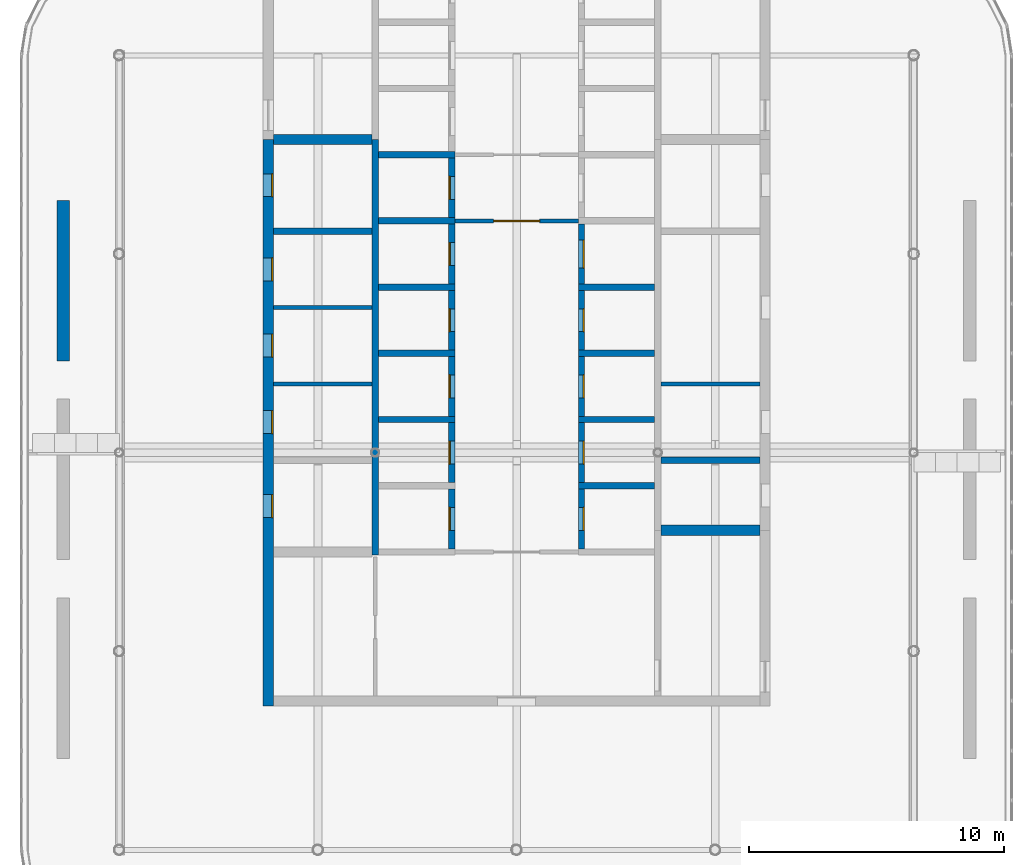
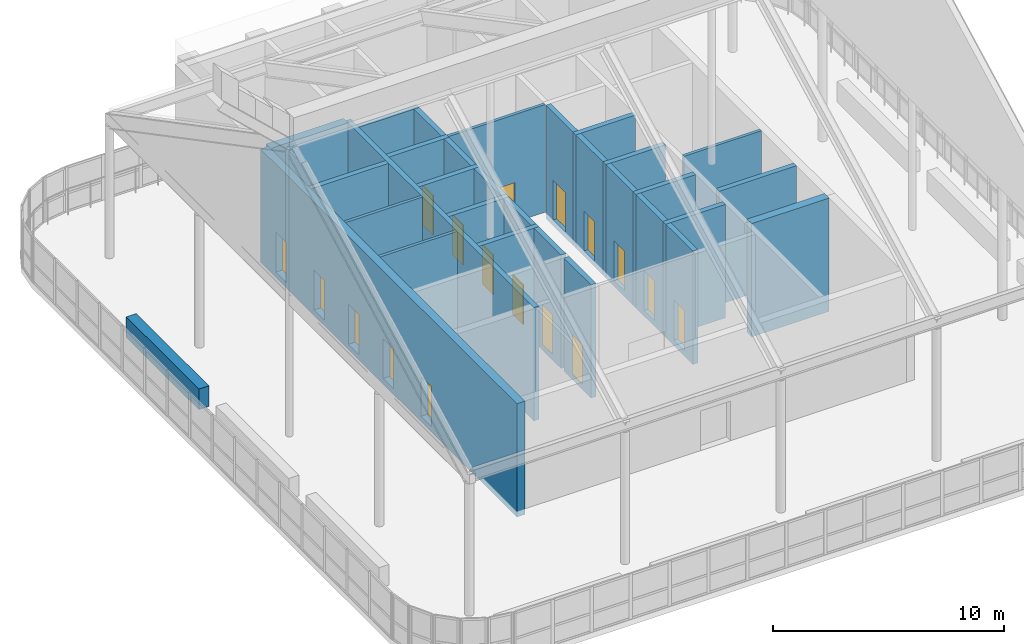
# One storey, part 16 of 19: 31 walls, 17 doors, 17 openings.
"""IFC4 building model written with IfcOpenShell, lengths in metres."""

from ifc_helpers import new_model, si_unit, direction, frame, frame_2d, origin, place, context, subcontext, project, spatial, rectangle, extrude, material, layer, layer_set, type_object, element, fill, save


model = new_model("IFC4")

# Units and contexts
model_context = context("Model", 3, precision=1e-05, world=origin(), true_north=direction((0.0, 1.0)))
body_context = subcontext(model_context, "Body", "Model", "MODEL_VIEW")
ifc_project = project(units=[si_unit("LENGTHUNIT", "METRE"), si_unit("AREAUNIT", "SQUARE_METRE"), si_unit("VOLUMEUNIT", "CUBIC_METRE"), si_unit("PLANEANGLEUNIT", "RADIAN"), si_unit("MASSUNIT", "GRAM", prefix="KILO")], contexts=[model_context])

# Site, building, storey
site_placement = place(None, origin())
site = spatial("IfcSite", under=ifc_project, at=site_placement, CompositionType="ELEMENT")
building_placement = place(site_placement, origin())
building = spatial("IfcBuilding", under=site, at=building_placement, Name="Ludao Terraces", CompositionType="ELEMENT")
storey_placement = place(building_placement, frame((0.0, 0.0, 266.39990234375)))
storey = spatial("IfcBuildingStorey", under=building, at=storey_placement, Name="L73", CompositionType="ELEMENT", Elevation=266.39990234375)

# Wall, openings, doors
ifc_material_1 = material(Name="Concrete C50", Category="concrete")
ifc_layer_1 = layer(ifc_material_1, 0.39990234375)
ifc_layer_set_1 = layer_set([ifc_layer_1], Name="Core wall 400 C50")
wall_type_1 = type_object("IfcWallType", Name="Core wall 400 C50", PredefinedType="SOLIDWALL", material=ifc_layer_set_1)
wall_1_placement = place(storey_placement, frame((75.25, 55.050048828125, -0.2998046875), z_axis=(0.0, 0.0, 1.0), x_axis=(0.0, 1.0, 0.0)))
wall_1 = element("IfcWall", 1, at=wall_1_placement, inside=storey, type_object=wall_type_1, Name="Core wall L73 outer-W", PredefinedType="SOLIDWALL", context=body_context, shape_type="SweptSolid", body=[
    extrude(rectangle(XDim=22.25, YDim=0.39990234375, at=frame_2d((11.125, 0.0))), origin(), (0.0, 0.0, 1.0), 6.0),
])
opening_1_placement = place(wall_1_placement, frame((7.39990234375, 0.0, 0.300048828125)))
opening_1 = element("IfcOpeningElement", 2, at=opening_1_placement, cuts=wall_1, Name="Opening L73-007", PredefinedType="OPENING", context=body_context, shape_type="SweptSolid", body=[
    extrude(rectangle(XDim=0.89990234375, YDim=2.10009765625, at=frame_2d((0.449951171875, 1.050048828125))), frame((0.0, 0.2099609375, 0.0), z_axis=(0.0, -1.0, 0.0), x_axis=(1.0, 0.0, 0.0)), (0.0, 0.0, 1.0), 0.419921875),
])
opening_2_placement = place(wall_1_placement, frame((10.699951171875, 0.0, 0.300048828125)))
opening_2 = element("IfcOpeningElement", 3, at=opening_2_placement, cuts=wall_1, Name="Opening L73-011", PredefinedType="OPENING", context=body_context, shape_type="SweptSolid", body=[
    extrude(rectangle(XDim=0.89990234375, YDim=2.10009765625, at=frame_2d((0.449951171875, 1.050048828125))), frame((0.0, 0.2099609375, 0.0), z_axis=(0.0, -1.0, 0.0), x_axis=(1.0, 0.0, 0.0)), (0.0, 0.0, 1.0), 0.419921875),
])
opening_3_placement = place(wall_1_placement, frame((13.699951171875, 0.0, 0.300048828125)))
opening_3 = element("IfcOpeningElement", 4, at=opening_3_placement, cuts=wall_1, Name="Opening L73-015", PredefinedType="OPENING", context=body_context, shape_type="SweptSolid", body=[
    extrude(rectangle(XDim=0.89990234375, YDim=2.10009765625, at=frame_2d((0.449951171875, 1.050048828125))), frame((0.0, 0.2099609375, 0.0), z_axis=(0.0, -1.0, 0.0), x_axis=(1.0, 0.0, 0.0)), (0.0, 0.0, 1.0), 0.419921875),
])
opening_4_placement = place(wall_1_placement, frame((16.699951171875, 0.0, 0.300048828125)))
opening_4 = element("IfcOpeningElement", 5, at=opening_4_placement, cuts=wall_1, Name="Opening L73-019", PredefinedType="OPENING", context=body_context, shape_type="SweptSolid", body=[
    extrude(rectangle(XDim=0.89990234375, YDim=2.10009765625, at=frame_2d((0.449951171875, 1.050048828125))), frame((0.0, 0.2099609375, 0.0), z_axis=(0.0, -1.0, 0.0), x_axis=(1.0, 0.0, 0.0)), (0.0, 0.0, 1.0), 0.419921875),
])
opening_5_placement = place(wall_1_placement, frame((20.0, 0.0, 0.300048828125)))
opening_5 = element("IfcOpeningElement", 6, at=opening_5_placement, cuts=wall_1, Name="Opening L73-025", PredefinedType="OPENING", context=body_context, shape_type="SweptSolid", body=[
    extrude(rectangle(XDim=0.89990234375, YDim=2.10009765625, at=frame_2d((0.449951171875, 1.050048828125))), frame((0.0, 0.2099609375, 0.0), z_axis=(0.0, -1.0, 0.0), x_axis=(1.0, 0.0, 0.0)), (0.0, 0.0, 1.0), 0.419921875),
])
ifc_material_2 = material(Name="Steel Q235", Category="steel")
door_type_1 = type_object("IfcDoorType", Name="INT Riser door 900", OperationType="SINGLE_SWING_LEFT", PredefinedType="DOOR", material=ifc_material_2)
door_1_placement = place(opening_1_placement, origin())
door_1 = element("IfcDoor", 7, at=door_1_placement, inside=storey, type_object=door_type_1, Name="DOOR 007", OperationType="SINGLE_SWING_RIGHT", OverallHeight=2.10009765625, OverallWidth=0.89990234375, PredefinedType="DOOR", context=body_context, shape_type="SweptSolid", body=[
    extrude(rectangle(XDim=0.89990234375, YDim=2.10009765625, at=frame_2d((0.449951171875, 1.050048828125))), frame((0.0, -0.134765625, 0.0), z_axis=(0.0, -1.0, 0.0), x_axis=(1.0, 0.0, 0.0)), (0.0, 0.0, 1.0), 0.050048828125),
])
fill(opening_1, door_1)
door_2_placement = place(opening_5_placement, origin())
door_2 = element("IfcDoor", 8, at=door_2_placement, inside=storey, type_object=door_type_1, Name="DOOR 025", OperationType="SINGLE_SWING_LEFT", OverallHeight=2.10009765625, OverallWidth=0.89990234375, PredefinedType="DOOR", context=body_context, shape_type="SweptSolid", body=[
    extrude(rectangle(XDim=0.89990234375, YDim=2.10009765625, at=frame_2d((0.449951171875, 1.050048828125))), frame((0.0, -0.134765625, 0.0), z_axis=(0.0, -1.0, 0.0), x_axis=(1.0, 0.0, 0.0)), (0.0, 0.0, 1.0), 0.050048828125),
])
fill(opening_5, door_2)
ifc_material_3 = material(Name="Timber door leaf", Category="wood")
door_type_2 = type_object("IfcDoorType", Name="INT Room door 900", OperationType="SINGLE_SWING_LEFT", PredefinedType="DOOR", material=ifc_material_3)
door_3_placement = place(opening_2_placement, origin())
door_3 = element("IfcDoor", 9, at=door_3_placement, inside=storey, type_object=door_type_2, Name="DOOR 011", OperationType="SINGLE_SWING_RIGHT", OverallHeight=2.10009765625, OverallWidth=0.89990234375, PredefinedType="DOOR", context=body_context, shape_type="SweptSolid", body=[
    extrude(rectangle(XDim=0.89990234375, YDim=2.10009765625, at=frame_2d((0.449951171875, 1.050048828125))), frame((0.0, -0.134765625, 0.0), z_axis=(0.0, -1.0, 0.0), x_axis=(1.0, 0.0, 0.0)), (0.0, 0.0, 1.0), 0.050048828125),
])
fill(opening_2, door_3)
door_4_placement = place(opening_3_placement, origin())
door_4 = element("IfcDoor", 10, at=door_4_placement, inside=storey, type_object=door_type_2, Name="DOOR 015", OperationType="SINGLE_SWING_RIGHT", OverallHeight=2.10009765625, OverallWidth=0.89990234375, PredefinedType="DOOR", context=body_context, shape_type="SweptSolid", body=[
    extrude(rectangle(XDim=0.89990234375, YDim=2.10009765625, at=frame_2d((0.449951171875, 1.050048828125))), frame((0.0, -0.134765625, 0.0), z_axis=(0.0, -1.0, 0.0), x_axis=(1.0, 0.0, 0.0)), (0.0, 0.0, 1.0), 0.050048828125),
])
fill(opening_3, door_4)
door_5_placement = place(opening_4_placement, origin())
door_5 = element("IfcDoor", 11, at=door_5_placement, inside=storey, type_object=door_type_2, Name="DOOR 019", OperationType="SINGLE_SWING_RIGHT", OverallHeight=2.10009765625, OverallWidth=0.89990234375, PredefinedType="DOOR", context=body_context, shape_type="SweptSolid", body=[
    extrude(rectangle(XDim=0.89990234375, YDim=2.10009765625, at=frame_2d((0.449951171875, 1.050048828125))), frame((0.0, -0.134765625, 0.0), z_axis=(0.0, -1.0, 0.0), x_axis=(1.0, 0.0, 0.0)), (0.0, 0.0, 1.0), 0.050048828125),
])
fill(opening_4, door_5)

# Walls
ifc_material_4 = material(Name="Concrete C40", Category="concrete")
ifc_layer_2 = layer(ifc_material_4, 0.5)
ifc_layer_set_2 = layer_set([ifc_layer_2], Name="ENV Deck planter 500")
wall_type_2 = type_object("IfcWallType", Name="ENV Deck planter 500", PredefinedType="USERDEFINED", material=ifc_layer_set_2)
wall_2_placement = place(storey_placement, frame((67.199951171875, 68.60009765625, 0.0), z_axis=(0.0, 0.0, 1.0), x_axis=(0.0, 1.0, 0.0)))
element("IfcWall", 12, at=wall_2_placement, inside=storey, type_object=wall_type_2, Name="PL-L73-7", ObjectType="PLANTER", PredefinedType="USERDEFINED", context=body_context, shape_type="SweptSolid", body=[
    extrude(rectangle(XDim=6.2998046875, YDim=0.5, at=frame_2d((3.14990234375, 0.0))), origin(), (0.0, 0.0, 1.0), 1.10009765625),
])
ifc_material_5 = material(Name="Fire-rated gypsum plasterboard", Category="gypsum")
ifc_layer_3 = layer(ifc_material_5, 0.012451171875, Category="gypsum")
ifc_material_6 = material(Name="Mineral wool")
ifc_layer_4 = layer(ifc_material_6, 0.10009765625, Name="insulation")
ifc_layer_5 = layer(ifc_material_2, 0.02490234375, Name="stud")
ifc_layer_6 = layer(ifc_material_5, 0.012451171875, Category="gypsum")
ifc_layer_set_3 = layer_set([ifc_layer_3, ifc_layer_4, ifc_layer_5, ifc_layer_6], Name="INT Core partition 150")
wall_type_3 = type_object("IfcWallType", Name="INT Core partition 150", PredefinedType="PARTITIONING", material=ifc_layer_set_3)
for number, where, z_axis, x_axis, name in (
    (13, (75.4501953125, 67.699951171875, 0.0), (0.0, 0.0, 1.0), (1.0, 0.0, 0.0), "PW-L73-PW001"),
    (14, (90.675048828125, 67.699951171875, 0.0), (0.0, 0.0, 1.0), (1.0, 0.0, 0.0), "PW-L73-PW002"),
    (15, (75.4501953125, 70.699951171875, 0.0), (0.0, 0.0, 1.0), (1.0, 0.0, 0.0), "PW-L73-PW003"),
):
    element("IfcWall", number, at=place(storey_placement, frame(where, z_axis=z_axis, x_axis=x_axis)), inside=storey, type_object=wall_type_3, Name=name, PredefinedType="PARTITIONING", context=body_context, shape_type="SweptSolid", body=[
        extrude(rectangle(XDim=3.875, YDim=0.14990234375, at=frame_2d((1.9375, 0.0))), origin(), (0.0, 0.0, 1.0), 5.7001953125),
    ])

# Wall, opening, door
wall_3_placement = place(storey_placement, frame((82.5751953125, 74.10009765625, 0.0), z_axis=(0.0, 0.0, 1.0), x_axis=(1.0, 0.0, 0.0)))
wall_3 = element("IfcWall", 16, at=wall_3_placement, inside=storey, type_object=wall_type_3, Name="PW-L73-PW004", PredefinedType="PARTITIONING", context=body_context, shape_type="SweptSolid", body=[
    extrude(rectangle(XDim=4.849853515625, YDim=0.14990234375, at=frame_2d((2.4248046875, 0.0))), origin(), (0.0, 0.0, 1.0), 5.7001953125),
])
opening_6_placement = place(wall_3_placement, frame((1.52490234375, 0.0, 0.0)))
opening_6 = element("IfcOpeningElement", 17, at=opening_6_placement, cuts=wall_3, Name="Opening L73-022", PredefinedType="OPENING", context=body_context, shape_type="SweptSolid", body=[
    extrude(rectangle(XDim=1.800048828125, YDim=2.10009765625, at=frame_2d((0.89990234375, 1.050048828125))), frame((0.0, 0.0849609375, 0.0), z_axis=(0.0, -1.0, 0.0), x_axis=(1.0, 0.0, 0.0)), (0.0, 0.0, 1.0), 0.169921875),
])
door_type_3 = type_object("IfcDoorType", Name="INT Fire lobby door 1800", OperationType="DOUBLE_DOOR_SINGLE_SWING", PredefinedType="DOOR", material=ifc_material_2)
door_6_placement = place(opening_6_placement, origin())
door_6 = element("IfcDoor", 18, at=door_6_placement, inside=storey, type_object=door_type_3, Name="DOOR 022", OperationType="DOUBLE_DOOR_SINGLE_SWING", OverallHeight=2.10009765625, OverallWidth=1.800048828125, PredefinedType="DOOR", context=body_context, shape_type="SweptSolid", body=[
    extrude(rectangle(XDim=1.800048828125, YDim=2.10009765625, at=frame_2d((0.89990234375, 1.050048828125))), frame((0.0, 0.02490234375, 0.0), z_axis=(0.0, -1.0, 0.0), x_axis=(1.0, 0.0, 0.0)), (0.0, 0.0, 1.0), 0.050048828125),
])
fill(opening_6, door_6)

# Wall
ifc_layer_7 = layer(ifc_material_1, 0.25)
ifc_layer_set_4 = layer_set([ifc_layer_7], Name="Shaft wall 250 C50")
wall_type_4 = type_object("IfcWallType", Name="Shaft wall 250 C50", PredefinedType="SOLIDWALL", material=ifc_layer_set_4)
wall_4_placement = place(storey_placement, frame((79.449951171875, 60.97509765625, -0.2998046875), z_axis=(0.0, 0.0, 1.0), x_axis=(0.0, 1.0, 0.0)))
element("IfcWall", 19, at=wall_4_placement, inside=storey, type_object=wall_type_4, Name="Core wall L73 back-W", PredefinedType="SOLIDWALL", context=body_context, shape_type="SweptSolid", body=[
    extrude(rectangle(XDim=16.324951171875, YDim=0.25, at=frame_2d((8.16259765625, 0.0))), origin(), (0.0, 0.0, 1.0), 6.0),
])

# Wall, opening, door
wall_5_placement = place(storey_placement, frame((82.449951171875, 61.22509765625, -0.2998046875), z_axis=(0.0, 0.0, 1.0), x_axis=(0.0, 1.0, 0.0)))
wall_5 = element("IfcWall", 20, at=wall_5_placement, inside=storey, type_object=wall_type_4, Name="Core wall L73 front-W1", PredefinedType="SOLIDWALL", context=body_context, shape_type="SweptSolid", body=[
    extrude(rectangle(XDim=2.349853515625, YDim=0.25, at=frame_2d((1.1748046875, 0.0))), origin(), (0.0, 0.0, 1.0), 6.0),
])
opening_7_placement = place(wall_5_placement, frame((0.72509765625, 0.0, 0.300048828125)))
opening_7 = element("IfcOpeningElement", 21, at=opening_7_placement, cuts=wall_5, Name="Opening L73-005", PredefinedType="OPENING", context=body_context, shape_type="SweptSolid", body=[
    extrude(rectangle(XDim=0.89990234375, YDim=2.10009765625, at=frame_2d((0.449951171875, 1.050048828125))), frame((0.0, 0.135009765625, 0.0), z_axis=(0.0, -1.0, 0.0), x_axis=(1.0, 0.0, 0.0)), (0.0, 0.0, 1.0), 0.27001953125),
])
door_7_placement = place(opening_7_placement, origin())
door_7 = element("IfcDoor", 22, at=door_7_placement, inside=storey, type_object=door_type_2, Name="DOOR 005", OperationType="SINGLE_SWING_LEFT", OverallHeight=2.10009765625, OverallWidth=0.89990234375, PredefinedType="DOOR", context=body_context, shape_type="SweptSolid", body=[
    extrude(rectangle(XDim=0.89990234375, YDim=2.10009765625, at=frame_2d((0.449951171875, 1.050048828125))), frame((0.0, 0.10986328125, 0.0), z_axis=(0.0, -1.0, 0.0), x_axis=(1.0, 0.0, 0.0)), (0.0, 0.0, 1.0), 0.050048828125),
])
fill(opening_7, door_7)

wall_6_placement = place(storey_placement, frame((82.449951171875, 63.824951171875, -0.2998046875), z_axis=(0.0, 0.0, 1.0), x_axis=(0.0, 1.0, 0.0)))
wall_6 = element("IfcWall", 23, at=wall_6_placement, inside=storey, type_object=wall_type_4, Name="Core wall L73 front-W2", PredefinedType="SOLIDWALL", context=body_context, shape_type="SweptSolid", body=[
    extrude(rectangle(XDim=2.35009765625, YDim=0.25, at=frame_2d((1.175048828125, 0.0))), origin(), (0.0, 0.0, 1.0), 6.0),
])
opening_8_placement = place(wall_6_placement, frame((0.72509765625, 0.0, 0.300048828125)))
opening_8 = element("IfcOpeningElement", 24, at=opening_8_placement, cuts=wall_6, Name="Opening L73-009", PredefinedType="OPENING", context=body_context, shape_type="SweptSolid", body=[
    extrude(rectangle(XDim=0.89990234375, YDim=2.10009765625, at=frame_2d((0.449951171875, 1.050048828125))), frame((0.0, 0.135009765625, 0.0), z_axis=(0.0, -1.0, 0.0), x_axis=(1.0, 0.0, 0.0)), (0.0, 0.0, 1.0), 0.27001953125),
])
door_8_placement = place(opening_8_placement, origin())
door_8 = element("IfcDoor", 25, at=door_8_placement, inside=storey, type_object=door_type_2, Name="DOOR 009", OperationType="SINGLE_SWING_LEFT", OverallHeight=2.10009765625, OverallWidth=0.89990234375, PredefinedType="DOOR", context=body_context, shape_type="SweptSolid", body=[
    extrude(rectangle(XDim=0.89990234375, YDim=2.10009765625, at=frame_2d((0.449951171875, 1.050048828125))), frame((0.0, 0.10986328125, 0.0), z_axis=(0.0, -1.0, 0.0), x_axis=(1.0, 0.0, 0.0)), (0.0, 0.0, 1.0), 0.050048828125),
])
fill(opening_8, door_8)

# Wall
wall_7_placement = place(storey_placement, frame((79.574951171875, 66.300048828125, -0.2998046875), z_axis=(0.0, 0.0, 1.0), x_axis=(1.0, 0.0, 0.0)))
element("IfcWall", 26, at=wall_7_placement, inside=storey, type_object=wall_type_4, Name="Core wall L73 div-W3", PredefinedType="SOLIDWALL", context=body_context, shape_type="SweptSolid", body=[
    extrude(rectangle(XDim=3.0, YDim=0.25, at=frame_2d((1.5, 0.0))), origin(), (0.0, 0.0, 1.0), 6.0),
])

# Wall, opening, door
wall_8_placement = place(storey_placement, frame((82.449951171875, 66.425048828125, -0.2998046875), z_axis=(0.0, 0.0, 1.0), x_axis=(0.0, 1.0, 0.0)))
wall_8 = element("IfcWall", 27, at=wall_8_placement, inside=storey, type_object=wall_type_4, Name="Core wall L73 front-W3", PredefinedType="SOLIDWALL", context=body_context, shape_type="SweptSolid", body=[
    extrude(rectangle(XDim=2.349853515625, YDim=0.25, at=frame_2d((1.1748046875, 0.0))), origin(), (0.0, 0.0, 1.0), 6.0),
])
opening_9_placement = place(wall_8_placement, frame((0.72509765625, 0.0, 0.300048828125)))
opening_9 = element("IfcOpeningElement", 28, at=opening_9_placement, cuts=wall_8, Name="Opening L73-013", PredefinedType="OPENING", context=body_context, shape_type="SweptSolid", body=[
    extrude(rectangle(XDim=0.89990234375, YDim=2.10009765625, at=frame_2d((0.449951171875, 1.050048828125))), frame((0.0, 0.135009765625, 0.0), z_axis=(0.0, -1.0, 0.0), x_axis=(1.0, 0.0, 0.0)), (0.0, 0.0, 1.0), 0.27001953125),
])
door_9_placement = place(opening_9_placement, origin())
door_9 = element("IfcDoor", 29, at=door_9_placement, inside=storey, type_object=door_type_2, Name="DOOR 013", OperationType="SINGLE_SWING_RIGHT", OverallHeight=2.10009765625, OverallWidth=0.89990234375, PredefinedType="DOOR", context=body_context, shape_type="SweptSolid", body=[
    extrude(rectangle(XDim=0.89990234375, YDim=2.10009765625, at=frame_2d((0.449951171875, 1.050048828125))), frame((0.0, 0.10986328125, 0.0), z_axis=(0.0, -1.0, 0.0), x_axis=(1.0, 0.0, 0.0)), (0.0, 0.0, 1.0), 0.050048828125),
])
fill(opening_9, door_9)

# Wall
wall_9_placement = place(storey_placement, frame((79.574951171875, 68.89990234375, -0.2998046875), z_axis=(0.0, 0.0, 1.0), x_axis=(1.0, 0.0, 0.0)))
element("IfcWall", 30, at=wall_9_placement, inside=storey, type_object=wall_type_4, Name="Core wall L73 div-W4", PredefinedType="SOLIDWALL", context=body_context, shape_type="SweptSolid", body=[
    extrude(rectangle(XDim=3.0, YDim=0.25, at=frame_2d((1.5, 0.0))), origin(), (0.0, 0.0, 1.0), 6.0),
])

# Wall, opening, door
wall_10_placement = place(storey_placement, frame((82.449951171875, 69.02490234375, -0.2998046875), z_axis=(0.0, 0.0, 1.0), x_axis=(0.0, 1.0, 0.0)))
wall_10 = element("IfcWall", 31, at=wall_10_placement, inside=storey, type_object=wall_type_4, Name="Core wall L73 front-W4", PredefinedType="SOLIDWALL", context=body_context, shape_type="SweptSolid", body=[
    extrude(rectangle(XDim=2.35009765625, YDim=0.25, at=frame_2d((1.175048828125, 0.0))), origin(), (0.0, 0.0, 1.0), 6.0),
])
opening_10_placement = place(wall_10_placement, frame((0.72509765625, 0.0, 0.300048828125)))
opening_10 = element("IfcOpeningElement", 32, at=opening_10_placement, cuts=wall_10, Name="Opening L73-016", PredefinedType="OPENING", context=body_context, shape_type="SweptSolid", body=[
    extrude(rectangle(XDim=0.89990234375, YDim=2.10009765625, at=frame_2d((0.449951171875, 1.050048828125))), frame((0.0, 0.135009765625, 0.0), z_axis=(0.0, -1.0, 0.0), x_axis=(1.0, 0.0, 0.0)), (0.0, 0.0, 1.0), 0.27001953125),
])
door_10_placement = place(opening_10_placement, origin())
door_10 = element("IfcDoor", 33, at=door_10_placement, inside=storey, type_object=door_type_2, Name="DOOR 016", OperationType="SINGLE_SWING_LEFT", OverallHeight=2.10009765625, OverallWidth=0.89990234375, PredefinedType="DOOR", context=body_context, shape_type="SweptSolid", body=[
    extrude(rectangle(XDim=0.89990234375, YDim=2.10009765625, at=frame_2d((0.449951171875, 1.050048828125))), frame((0.0, 0.10986328125, 0.0), z_axis=(0.0, -1.0, 0.0), x_axis=(1.0, 0.0, 0.0)), (0.0, 0.0, 1.0), 0.050048828125),
])
fill(opening_10, door_10)

# Wall
wall_11_placement = place(storey_placement, frame((79.574951171875, 71.5, -0.2998046875), z_axis=(0.0, 0.0, 1.0), x_axis=(1.0, 0.0, 0.0)))
element("IfcWall", 34, at=wall_11_placement, inside=storey, type_object=wall_type_4, Name="Core wall L73 div-W5", PredefinedType="SOLIDWALL", context=body_context, shape_type="SweptSolid", body=[
    extrude(rectangle(XDim=3.0, YDim=0.25, at=frame_2d((1.5, 0.0))), origin(), (0.0, 0.0, 1.0), 6.0),
])

# Wall, opening, door
wall_12_placement = place(storey_placement, frame((82.449951171875, 71.625, -0.2998046875), z_axis=(0.0, 0.0, 1.0), x_axis=(0.0, 1.0, 0.0)))
wall_12 = element("IfcWall", 35, at=wall_12_placement, inside=storey, type_object=wall_type_4, Name="Core wall L73 front-W5", PredefinedType="SOLIDWALL", context=body_context, shape_type="SweptSolid", body=[
    extrude(rectangle(XDim=2.35009765625, YDim=0.25, at=frame_2d((1.175048828125, 0.0))), origin(), (0.0, 0.0, 1.0), 6.0),
])
opening_11_placement = place(wall_12_placement, frame((0.72509765625, 0.0, 0.300048828125)))
opening_11 = element("IfcOpeningElement", 36, at=opening_11_placement, cuts=wall_12, Name="Opening L73-020", PredefinedType="OPENING", context=body_context, shape_type="SweptSolid", body=[
    extrude(rectangle(XDim=0.89990234375, YDim=2.10009765625, at=frame_2d((0.449951171875, 1.050048828125))), frame((0.0, 0.135009765625, 0.0), z_axis=(0.0, -1.0, 0.0), x_axis=(1.0, 0.0, 0.0)), (0.0, 0.0, 1.0), 0.27001953125),
])
door_11_placement = place(opening_11_placement, origin())
door_11 = element("IfcDoor", 37, at=door_11_placement, inside=storey, type_object=door_type_2, Name="DOOR 020", OperationType="SINGLE_SWING_RIGHT", OverallHeight=2.10009765625, OverallWidth=0.89990234375, PredefinedType="DOOR", context=body_context, shape_type="SweptSolid", body=[
    extrude(rectangle(XDim=0.89990234375, YDim=2.10009765625, at=frame_2d((0.449951171875, 1.050048828125))), frame((0.0, 0.10986328125, 0.0), z_axis=(0.0, -1.0, 0.0), x_axis=(1.0, 0.0, 0.0)), (0.0, 0.0, 1.0), 0.050048828125),
])
fill(opening_11, door_11)

# Wall
wall_13_placement = place(storey_placement, frame((79.574951171875, 74.10009765625, -0.2998046875), z_axis=(0.0, 0.0, 1.0), x_axis=(1.0, 0.0, 0.0)))
element("IfcWall", 38, at=wall_13_placement, inside=storey, type_object=wall_type_4, Name="Core wall L73 div-W6", PredefinedType="SOLIDWALL", context=body_context, shape_type="SweptSolid", body=[
    extrude(rectangle(XDim=3.0, YDim=0.25, at=frame_2d((1.5, 0.0))), origin(), (0.0, 0.0, 1.0), 6.0),
])

# Wall, opening, door
wall_14_placement = place(storey_placement, frame((82.449951171875, 74.22509765625, -0.2998046875), z_axis=(0.0, 0.0, 1.0), x_axis=(0.0, 1.0, 0.0)))
wall_14 = element("IfcWall", 39, at=wall_14_placement, inside=storey, type_object=wall_type_4, Name="Core wall L73 front-W6", PredefinedType="SOLIDWALL", context=body_context, shape_type="SweptSolid", body=[
    extrude(rectangle(XDim=2.349853515625, YDim=0.25, at=frame_2d((1.1748046875, 0.0))), origin(), (0.0, 0.0, 1.0), 6.0),
])
opening_12_placement = place(wall_14_placement, frame((0.72509765625, 0.0, 0.300048828125)))
opening_12 = element("IfcOpeningElement", 40, at=opening_12_placement, cuts=wall_14, Name="Opening L73-023", PredefinedType="OPENING", context=body_context, shape_type="SweptSolid", body=[
    extrude(rectangle(XDim=0.89990234375, YDim=2.10009765625, at=frame_2d((0.449951171875, 1.050048828125))), frame((0.0, 0.135009765625, 0.0), z_axis=(0.0, -1.0, 0.0), x_axis=(1.0, 0.0, 0.0)), (0.0, 0.0, 1.0), 0.27001953125),
])
door_12_placement = place(opening_12_placement, origin())
door_12 = element("IfcDoor", 41, at=door_12_placement, inside=storey, type_object=door_type_2, Name="DOOR 023", OperationType="SINGLE_SWING_LEFT", OverallHeight=2.10009765625, OverallWidth=0.89990234375, PredefinedType="DOOR", context=body_context, shape_type="SweptSolid", body=[
    extrude(rectangle(XDim=0.89990234375, YDim=2.10009765625, at=frame_2d((0.449951171875, 1.050048828125))), frame((0.0, 0.10986328125, 0.0), z_axis=(0.0, -1.0, 0.0), x_axis=(1.0, 0.0, 0.0)), (0.0, 0.0, 1.0), 0.050048828125),
])
fill(opening_12, door_12)

# Wall
wall_15_placement = place(storey_placement, frame((79.574951171875, 76.699951171875, -0.2998046875), z_axis=(0.0, 0.0, 1.0), x_axis=(1.0, 0.0, 0.0)))
element("IfcWall", 42, at=wall_15_placement, inside=storey, type_object=wall_type_4, Name="Core wall L73 div-W7", PredefinedType="SOLIDWALL", context=body_context, shape_type="SweptSolid", body=[
    extrude(rectangle(XDim=3.0, YDim=0.25, at=frame_2d((1.5, 0.0))), origin(), (0.0, 0.0, 1.0), 6.0),
])

# Wall, opening, door
wall_16_placement = place(storey_placement, frame((87.550048828125, 61.22509765625, -0.2998046875), z_axis=(0.0, 0.0, 1.0), x_axis=(0.0, 1.0, 0.0)))
wall_16 = element("IfcWall", 43, at=wall_16_placement, inside=storey, type_object=wall_type_4, Name="Core wall L73 front-E1", PredefinedType="SOLIDWALL", context=body_context, shape_type="SweptSolid", body=[
    extrude(rectangle(XDim=2.349853515625, YDim=0.25, at=frame_2d((1.1748046875, 0.0))), origin(), (0.0, 0.0, 1.0), 6.0),
])
opening_13_placement = place(wall_16_placement, frame((0.72509765625, 0.0, 0.300048828125)))
opening_13 = element("IfcOpeningElement", 44, at=opening_13_placement, cuts=wall_16, Name="Opening L73-006", PredefinedType="OPENING", context=body_context, shape_type="SweptSolid", body=[
    extrude(rectangle(XDim=0.89990234375, YDim=2.10009765625, at=frame_2d((0.449951171875, 1.050048828125))), frame((0.0, 0.135009765625, 0.0), z_axis=(0.0, -1.0, 0.0), x_axis=(1.0, 0.0, 0.0)), (0.0, 0.0, 1.0), 0.27001953125),
])
door_13_placement = place(opening_13_placement, origin())
door_13 = element("IfcDoor", 45, at=door_13_placement, inside=storey, type_object=door_type_2, Name="DOOR 006", OperationType="SINGLE_SWING_RIGHT", OverallHeight=2.10009765625, OverallWidth=0.89990234375, PredefinedType="DOOR", context=body_context, shape_type="SweptSolid", body=[
    extrude(rectangle(XDim=0.89990234375, YDim=2.10009765625, at=frame_2d((0.449951171875, 1.050048828125))), frame((0.0, -0.06005859375, 0.0), z_axis=(0.0, -1.0, 0.0), x_axis=(1.0, 0.0, 0.0)), (0.0, 0.0, 1.0), 0.050048828125),
])
fill(opening_13, door_13)

# Wall
wall_17_placement = place(storey_placement, frame((87.425048828125, 63.699951171875, -0.2998046875), z_axis=(0.0, 0.0, 1.0), x_axis=(1.0, 0.0, 0.0)))
element("IfcWall", 46, at=wall_17_placement, inside=storey, type_object=wall_type_4, Name="Core wall L73 div-E2", PredefinedType="SOLIDWALL", context=body_context, shape_type="SweptSolid", body=[
    extrude(rectangle(XDim=3.0, YDim=0.25, at=frame_2d((1.5, 0.0))), origin(), (0.0, 0.0, 1.0), 6.0),
])

# Wall, opening, door
wall_18_placement = place(storey_placement, frame((87.550048828125, 63.824951171875, -0.2998046875), z_axis=(0.0, 0.0, 1.0), x_axis=(0.0, 1.0, 0.0)))
wall_18 = element("IfcWall", 47, at=wall_18_placement, inside=storey, type_object=wall_type_4, Name="Core wall L73 front-E2", PredefinedType="SOLIDWALL", context=body_context, shape_type="SweptSolid", body=[
    extrude(rectangle(XDim=2.35009765625, YDim=0.25, at=frame_2d((1.175048828125, 0.0))), origin(), (0.0, 0.0, 1.0), 6.0),
])
opening_14_placement = place(wall_18_placement, frame((0.72509765625, 0.0, 0.300048828125)))
opening_14 = element("IfcOpeningElement", 48, at=opening_14_placement, cuts=wall_18, Name="Opening L73-010", PredefinedType="OPENING", context=body_context, shape_type="SweptSolid", body=[
    extrude(rectangle(XDim=0.89990234375, YDim=2.10009765625, at=frame_2d((0.449951171875, 1.050048828125))), frame((0.0, 0.135009765625, 0.0), z_axis=(0.0, -1.0, 0.0), x_axis=(1.0, 0.0, 0.0)), (0.0, 0.0, 1.0), 0.27001953125),
])
door_14_placement = place(opening_14_placement, origin())
door_14 = element("IfcDoor", 49, at=door_14_placement, inside=storey, type_object=door_type_2, Name="DOOR 010", OperationType="SINGLE_SWING_RIGHT", OverallHeight=2.10009765625, OverallWidth=0.89990234375, PredefinedType="DOOR", context=body_context, shape_type="SweptSolid", body=[
    extrude(rectangle(XDim=0.89990234375, YDim=2.10009765625, at=frame_2d((0.449951171875, 1.050048828125))), frame((0.0, -0.06005859375, 0.0), z_axis=(0.0, -1.0, 0.0), x_axis=(1.0, 0.0, 0.0)), (0.0, 0.0, 1.0), 0.050048828125),
])
fill(opening_14, door_14)

# Wall
wall_19_placement = place(storey_placement, frame((87.425048828125, 66.300048828125, -0.2998046875), z_axis=(0.0, 0.0, 1.0), x_axis=(1.0, 0.0, 0.0)))
element("IfcWall", 50, at=wall_19_placement, inside=storey, type_object=wall_type_4, Name="Core wall L73 div-E3", PredefinedType="SOLIDWALL", context=body_context, shape_type="SweptSolid", body=[
    extrude(rectangle(XDim=3.0, YDim=0.25, at=frame_2d((1.5, 0.0))), origin(), (0.0, 0.0, 1.0), 6.0),
])

# Wall, opening, door
wall_20_placement = place(storey_placement, frame((87.550048828125, 66.425048828125, -0.2998046875), z_axis=(0.0, 0.0, 1.0), x_axis=(0.0, 1.0, 0.0)))
wall_20 = element("IfcWall", 51, at=wall_20_placement, inside=storey, type_object=wall_type_4, Name="Core wall L73 front-E3", PredefinedType="SOLIDWALL", context=body_context, shape_type="SweptSolid", body=[
    extrude(rectangle(XDim=2.349853515625, YDim=0.25, at=frame_2d((1.1748046875, 0.0))), origin(), (0.0, 0.0, 1.0), 6.0),
])
opening_15_placement = place(wall_20_placement, frame((0.72509765625, 0.0, 0.300048828125)))
opening_15 = element("IfcOpeningElement", 52, at=opening_15_placement, cuts=wall_20, Name="Opening L73-014", PredefinedType="OPENING", context=body_context, shape_type="SweptSolid", body=[
    extrude(rectangle(XDim=0.89990234375, YDim=2.10009765625, at=frame_2d((0.449951171875, 1.050048828125))), frame((0.0, 0.135009765625, 0.0), z_axis=(0.0, -1.0, 0.0), x_axis=(1.0, 0.0, 0.0)), (0.0, 0.0, 1.0), 0.27001953125),
])
door_15_placement = place(opening_15_placement, origin())
door_15 = element("IfcDoor", 53, at=door_15_placement, inside=storey, type_object=door_type_2, Name="DOOR 014", OperationType="SINGLE_SWING_LEFT", OverallHeight=2.10009765625, OverallWidth=0.89990234375, PredefinedType="DOOR", context=body_context, shape_type="SweptSolid", body=[
    extrude(rectangle(XDim=0.89990234375, YDim=2.10009765625, at=frame_2d((0.449951171875, 1.050048828125))), frame((0.0, -0.06005859375, 0.0), z_axis=(0.0, -1.0, 0.0), x_axis=(1.0, 0.0, 0.0)), (0.0, 0.0, 1.0), 0.050048828125),
])
fill(opening_15, door_15)

# Wall
wall_21_placement = place(storey_placement, frame((87.425048828125, 68.89990234375, -0.2998046875), z_axis=(0.0, 0.0, 1.0), x_axis=(1.0, 0.0, 0.0)))
element("IfcWall", 54, at=wall_21_placement, inside=storey, type_object=wall_type_4, Name="Core wall L73 div-E4", PredefinedType="SOLIDWALL", context=body_context, shape_type="SweptSolid", body=[
    extrude(rectangle(XDim=3.0, YDim=0.25, at=frame_2d((1.5, 0.0))), origin(), (0.0, 0.0, 1.0), 6.0),
])

# Wall, opening, door
wall_22_placement = place(storey_placement, frame((87.550048828125, 69.02490234375, -0.2998046875), z_axis=(0.0, 0.0, 1.0), x_axis=(0.0, 1.0, 0.0)))
wall_22 = element("IfcWall", 55, at=wall_22_placement, inside=storey, type_object=wall_type_4, Name="Core wall L73 front-E4", PredefinedType="SOLIDWALL", context=body_context, shape_type="SweptSolid", body=[
    extrude(rectangle(XDim=2.35009765625, YDim=0.25, at=frame_2d((1.175048828125, 0.0))), origin(), (0.0, 0.0, 1.0), 6.0),
])
opening_16_placement = place(wall_22_placement, frame((0.72509765625, 0.0, 0.300048828125)))
opening_16 = element("IfcOpeningElement", 56, at=opening_16_placement, cuts=wall_22, Name="Opening L73-017", PredefinedType="OPENING", context=body_context, shape_type="SweptSolid", body=[
    extrude(rectangle(XDim=0.89990234375, YDim=2.10009765625, at=frame_2d((0.449951171875, 1.050048828125))), frame((0.0, 0.135009765625, 0.0), z_axis=(0.0, -1.0, 0.0), x_axis=(1.0, 0.0, 0.0)), (0.0, 0.0, 1.0), 0.27001953125),
])
door_16_placement = place(opening_16_placement, origin())
door_16 = element("IfcDoor", 57, at=door_16_placement, inside=storey, type_object=door_type_2, Name="DOOR 017", OperationType="SINGLE_SWING_RIGHT", OverallHeight=2.10009765625, OverallWidth=0.89990234375, PredefinedType="DOOR", context=body_context, shape_type="SweptSolid", body=[
    extrude(rectangle(XDim=0.89990234375, YDim=2.10009765625, at=frame_2d((0.449951171875, 1.050048828125))), frame((0.0, -0.06005859375, 0.0), z_axis=(0.0, -1.0, 0.0), x_axis=(1.0, 0.0, 0.0)), (0.0, 0.0, 1.0), 0.050048828125),
])
fill(opening_16, door_16)

# Wall
wall_23_placement = place(storey_placement, frame((87.425048828125, 71.5, -0.2998046875), z_axis=(0.0, 0.0, 1.0), x_axis=(1.0, 0.0, 0.0)))
element("IfcWall", 58, at=wall_23_placement, inside=storey, type_object=wall_type_4, Name="Core wall L73 div-E5", PredefinedType="SOLIDWALL", context=body_context, shape_type="SweptSolid", body=[
    extrude(rectangle(XDim=3.0, YDim=0.25, at=frame_2d((1.5, 0.0))), origin(), (0.0, 0.0, 1.0), 6.0),
])

# Wall, opening, door
wall_24_placement = place(storey_placement, frame((87.550048828125, 71.625, -0.2998046875), z_axis=(0.0, 0.0, 1.0), x_axis=(0.0, 1.0, 0.0)))
wall_24 = element("IfcWall", 59, at=wall_24_placement, inside=storey, type_object=wall_type_4, Name="Core wall L73 front-E5", PredefinedType="SOLIDWALL", context=body_context, shape_type="SweptSolid", body=[
    extrude(rectangle(XDim=2.35009765625, YDim=0.25, at=frame_2d((1.175048828125, 0.0))), origin(), (0.0, 0.0, 1.0), 6.0),
])
opening_17_placement = place(wall_24_placement, frame((0.625, 0.0, 0.300048828125)))
opening_17 = element("IfcOpeningElement", 60, at=opening_17_placement, cuts=wall_24, Name="Opening LD-LB1", PredefinedType="OPENING", context=body_context, shape_type="SweptSolid", body=[
    extrude(rectangle(XDim=1.10009765625, YDim=2.10009765625, at=frame_2d((0.550048828125, 1.050048828125))), frame((0.0, 0.135009765625, 0.0), z_axis=(0.0, -1.0, 0.0), x_axis=(1.0, 0.0, 0.0)), (0.0, 0.0, 1.0), 0.27001953125),
])
ifc_material_7 = material(Name="Stainless steel 304", Category="steel")
door_type_4 = type_object("IfcDoorType", Name="INT Lift landing door 1100", OperationType="SLIDING_TO_LEFT", PredefinedType="DOOR", material=ifc_material_7)
door_17_placement = place(opening_17_placement, origin())
door_17 = element("IfcDoor", 61, at=door_17_placement, inside=storey, type_object=door_type_4, Name="LANDING DOOR LB1 L73", OperationType="SLIDING_TO_LEFT", OverallHeight=2.10009765625, OverallWidth=1.10009765625, PredefinedType="DOOR", context=body_context, shape_type="SweptSolid", body=[
    extrude(rectangle(XDim=1.10009765625, YDim=2.10009765625, at=frame_2d((0.550048828125, 1.050048828125))), frame((0.0, -0.06005859375, 0.0), z_axis=(0.0, -1.0, 0.0), x_axis=(1.0, 0.0, 0.0)), (0.0, 0.0, 1.0), 0.050048828125),
])
fill(opening_17, door_17)

# Walls
for number, where, z_axis, x_axis, name in (
    (62, (75.449951171875, 73.699951171875, -0.2998046875), (0.0, 0.0, 1.0), (1.0, 0.0, 0.0), "Core wall L73 riser-b-W"),
    (63, (90.675048828125, 64.699951171875, -0.2998046875), (0.0, 0.0, 1.0), (1.0, 0.0, 0.0), "Core wall L73 riser-a-E"),
):
    element("IfcWall", number, at=place(storey_placement, frame(where, z_axis=z_axis, x_axis=x_axis)), inside=storey, type_object=wall_type_4, Name=name, PredefinedType="SOLIDWALL", context=body_context, shape_type="SweptSolid", body=[
        extrude(rectangle(XDim=3.875, YDim=0.25, at=frame_2d((1.9375, 0.0))), origin(), (0.0, 0.0, 1.0), 6.0),
    ])
ifc_layer_8 = layer(ifc_material_1, 0.39990234375)
ifc_layer_set_5 = layer_set([ifc_layer_8], Name="Shaft wall 400 C50")
wall_type_5 = type_object("IfcWallType", Name="Shaft wall 400 C50", PredefinedType="SOLIDWALL", material=ifc_layer_set_5)
for number, where, z_axis, x_axis, name in (
    (64, (75.449951171875, 77.300048828125, -0.2998046875), (0.0, 0.0, 1.0), (1.0, 0.0, 0.0), "Core wall L73 stair-W"),
    (65, (90.675048828125, 61.949951171875, -0.2998046875), (0.0, 0.0, 1.0), (1.0, 0.0, 0.0), "Core wall L73 hall-E"),
):
    element("IfcWall", number, at=place(storey_placement, frame(where, z_axis=z_axis, x_axis=x_axis)), inside=storey, type_object=wall_type_5, Name=name, PredefinedType="SOLIDWALL", context=body_context, shape_type="SweptSolid", body=[
        extrude(rectangle(XDim=3.875, YDim=0.39990234375, at=frame_2d((1.9375, 0.0))), origin(), (0.0, 0.0, 1.0), 6.0),
    ])

save(model, "model.ifc")
